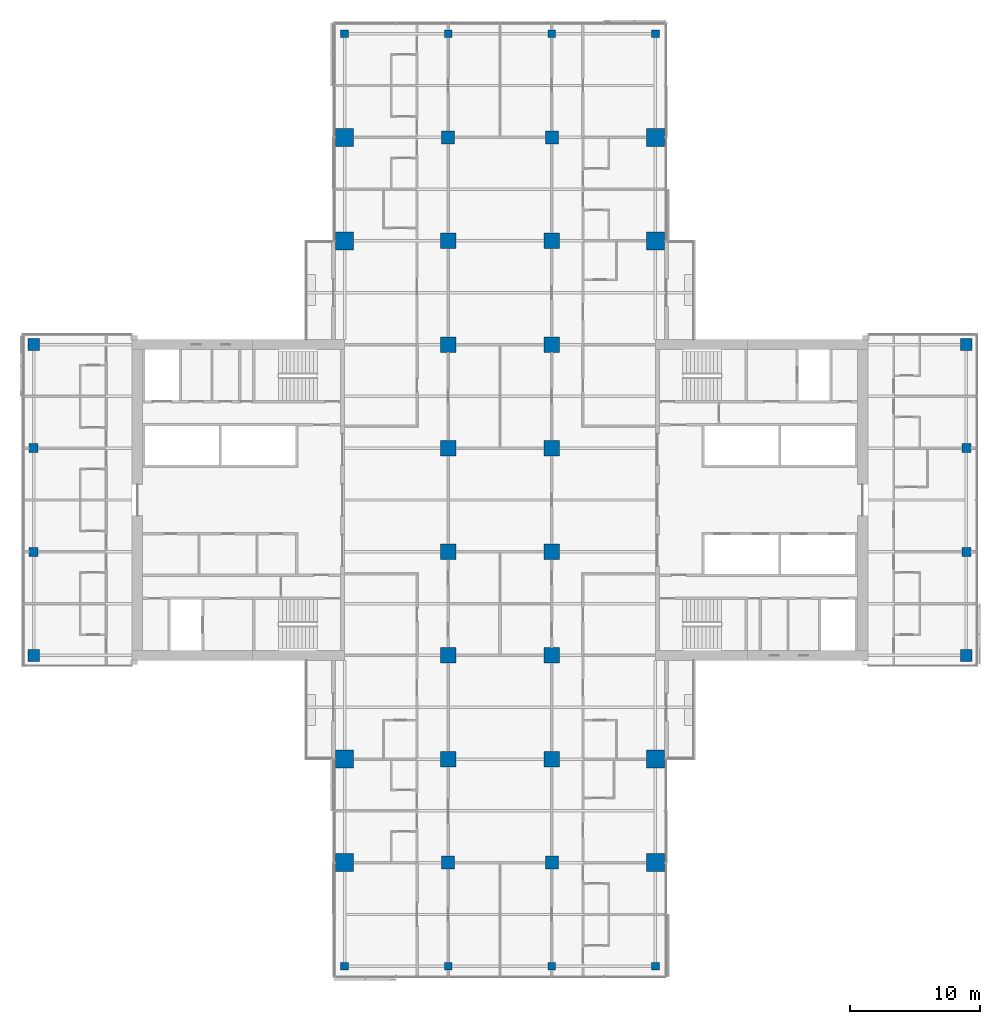
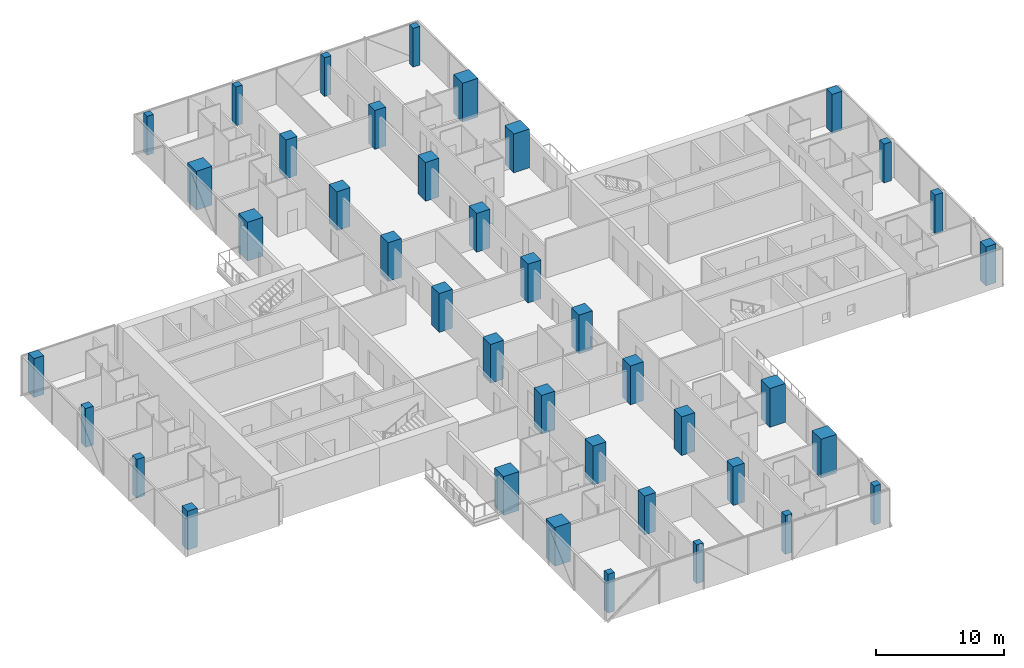
# One storey, part 1 of 27: 40 columns.
"""IFC4 building model written with IfcOpenShell, lengths in metres."""

from ifc_helpers import new_model, si_unit, direction, frame, origin, origin_2d, place, context, subcontext, project, spatial, rectangle, extrude, material, material_profile, profile_set, type_object, element, save


model = new_model("IFC4")

# Units and contexts
model_context = context("Model", 3, precision=1e-05, world=origin(), true_north=direction((0.0, 1.0)))
body_context = subcontext(model_context, "Body", "Model", "MODEL_VIEW")
ifc_project = project(units=[si_unit("LENGTHUNIT", "METRE"), si_unit("AREAUNIT", "SQUARE_METRE"), si_unit("VOLUMEUNIT", "CUBIC_METRE"), si_unit("PLANEANGLEUNIT", "RADIAN"), si_unit("MASSUNIT", "GRAM", prefix="KILO")], contexts=[model_context])

# Site, building, storey
site_placement = place(None, origin())
site = spatial("IfcSite", under=ifc_project, at=site_placement, CompositionType="ELEMENT")
building_placement = place(site_placement, origin())
building = spatial("IfcBuilding", under=site, at=building_placement, Name="Crosswind Convention Tower", CompositionType="ELEMENT")
storey_placement = place(building_placement, frame((0.0, 0.0, 68.300048828125)))
storey = spatial("IfcBuildingStorey", under=building, at=storey_placement, Name="L11", CompositionType="ELEMENT", Elevation=68.300048828125)

# Columns
ifc_material_1 = material(Name="Concrete C70/85", Category="concrete")
ifc_material_profile_1 = material_profile(ifc_material_1, rectangle(XDim=1.0, YDim=1.0, at=origin_2d()), Name="RC 1000X1000")
ifc_profile_set_1 = profile_set([ifc_material_profile_1], Name="Concrete C70/85")
column_type_1 = type_object("IfcColumnType", Name="Column RC 1000X1000", PredefinedType="COLUMN", material=ifc_profile_set_1)
for number, where, z_axis, x_axis, name in (
    (1, (121.0, 72.0, 0.0), (0.0, 0.0, 1.0), (1.0, 0.0, 0.0), "C12 L11 6/C"),
    (2, (121.0, 128.0, 0.0), (0.0, 0.0, 1.0), (1.0, 0.0, 0.0), "C12 L11 6/J"),
    (3, (129.0, 72.0, 0.0), (0.0, 0.0, 1.0), (1.0, 0.0, 0.0), "C12 L11 7/C"),
    (4, (129.0, 128.0, 0.0), (0.0, 0.0, 1.0), (1.0, 0.0, 0.0), "C12 L11 7/J"),
):
    element("IfcColumn", number, at=place(storey_placement, frame(where, z_axis=z_axis, x_axis=x_axis)), inside=storey, type_object=column_type_1, Name=name, PredefinedType="COLUMN", context=body_context, shape_type="SweptSolid", body=[
        extrude(rectangle(XDim=1.0, YDim=1.0, at=origin_2d()), origin(), (0.0, 0.0, 1.0), 3.699951171875),
    ])
ifc_material_profile_2 = material_profile(ifc_material_1, rectangle(XDim=1.199951171875, YDim=1.199951171875, at=origin_2d()), Name="RC 1200X1200")
ifc_profile_set_2 = profile_set([ifc_material_profile_2], Name="Concrete C70/85")
column_type_2 = type_object("IfcColumnType", Name="Column RC 1200X1200", PredefinedType="COLUMN", material=ifc_profile_set_2)
for number, where, z_axis, x_axis, name in (
    (5, (121.0, 80.0, 0.0), (0.0, 0.0, 1.0), (1.0, 0.0, 0.0), "C11 L11 6/D"),
    (6, (121.0, 88.0, 0.0), (0.0, 0.0, 1.0), (1.0, 0.0, 0.0), "C11 L11 6/E"),
    (7, (121.0, 96.0, 0.0), (0.0, 0.0, 1.0), (1.0, 0.0, 0.0), "C11 L11 6/F"),
    (8, (121.0, 104.0, 0.0), (0.0, 0.0, 1.0), (1.0, 0.0, 0.0), "C11 L11 6/G"),
    (9, (121.0, 112.0, 0.0), (0.0, 0.0, 1.0), (1.0, 0.0, 0.0), "C11 L11 6/H"),
    (10, (121.0, 120.0, 0.0), (0.0, 0.0, 1.0), (1.0, 0.0, 0.0), "C11 L11 6/I"),
    (11, (129.0, 80.0, 0.0), (0.0, 0.0, 1.0), (1.0, 0.0, 0.0), "C11 L11 7/D"),
    (12, (129.0, 88.0, 0.0), (0.0, 0.0, 1.0), (1.0, 0.0, 0.0), "C11 L11 7/E"),
    (13, (129.0, 96.0, 0.0), (0.0, 0.0, 1.0), (1.0, 0.0, 0.0), "C11 L11 7/F"),
    (14, (129.0, 104.0, 0.0), (0.0, 0.0, 1.0), (1.0, 0.0, 0.0), "C11 L11 7/G"),
    (15, (129.0, 112.0, 0.0), (0.0, 0.0, 1.0), (1.0, 0.0, 0.0), "C11 L11 7/H"),
    (16, (129.0, 120.0, 0.0), (0.0, 0.0, 1.0), (1.0, 0.0, 0.0), "C11 L11 7/I"),
):
    element("IfcColumn", number, at=place(storey_placement, frame(where, z_axis=z_axis, x_axis=x_axis)), inside=storey, type_object=column_type_2, Name=name, PredefinedType="COLUMN", context=body_context, shape_type="SweptSolid", body=[
        extrude(rectangle(XDim=1.199951171875, YDim=1.199951171875, at=origin_2d()), origin(), (0.0, 0.0, 1.0), 3.699951171875),
    ])
ifc_material_2 = material(Name="Concrete C80/95", Category="concrete")
ifc_material_profile_3 = material_profile(ifc_material_2, rectangle(XDim=1.39990234375, YDim=1.39990234375, at=origin_2d()), Name="RC 1400X1400")
ifc_profile_set_3 = profile_set([ifc_material_profile_3], Name="Concrete C80/95")
column_type_3 = type_object("IfcColumnType", Name="Column RC 1400X1400", PredefinedType="COLUMN", material=ifc_profile_set_3)
for number, where, z_axis, x_axis, name in (
    (17, (113.0, 72.0, 0.0), (0.0, 0.0, 1.0), (1.0, 0.0, 0.0), "C10 L11 5/C"),
    (18, (113.0, 80.0, 0.0), (0.0, 0.0, 1.0), (1.0, 0.0, 0.0), "C10 L11 5/D"),
    (19, (113.0, 120.0, 0.0), (0.0, 0.0, 1.0), (1.0, 0.0, 0.0), "C10 L11 5/I"),
    (20, (113.0, 128.0, 0.0), (0.0, 0.0, 1.0), (1.0, 0.0, 0.0), "C10 L11 5/J"),
    (21, (137.0, 72.0, 0.0), (0.0, 0.0, 1.0), (1.0, 0.0, 0.0), "C10 L11 8/C"),
    (22, (137.0, 80.0, 0.0), (0.0, 0.0, 1.0), (1.0, 0.0, 0.0), "C10 L11 8/D"),
    (23, (137.0, 120.0, 0.0), (0.0, 0.0, 1.0), (1.0, 0.0, 0.0), "C10 L11 8/I"),
    (24, (137.0, 128.0, 0.0), (0.0, 0.0, 1.0), (1.0, 0.0, 0.0), "C10 L11 8/J"),
):
    element("IfcColumn", number, at=place(storey_placement, frame(where, z_axis=z_axis, x_axis=x_axis)), inside=storey, type_object=column_type_3, Name=name, PredefinedType="COLUMN", context=body_context, shape_type="SweptSolid", body=[
        extrude(rectangle(XDim=1.39990234375, YDim=1.39990234375, at=origin_2d()), origin(), (0.0, 0.0, 1.0), 3.699951171875),
    ])
ifc_material_3 = material(Name="Concrete C60/75", Category="concrete")
ifc_material_profile_4 = material_profile(ifc_material_3, rectangle(XDim=0.60009765625, YDim=0.60009765625, at=origin_2d()), Name="RC 600X600")
ifc_profile_set_4 = profile_set([ifc_material_profile_4], Name="Concrete C60/75")
column_type_4 = type_object("IfcColumnType", Name="Column RC 600X600", PredefinedType="COLUMN", material=ifc_profile_set_4)
for number, where, z_axis, x_axis, name in (
    (25, (113.0, 64.0, 0.0), (0.0, 0.0, 1.0), (1.0, 0.0, 0.0), "C16 L11 5/B"),
    (26, (113.0, 136.0, 0.0), (0.0, 0.0, 1.0), (1.0, 0.0, 0.0), "C16 L11 5/K"),
    (27, (121.0, 64.0, 0.0), (0.0, 0.0, 1.0), (1.0, 0.0, 0.0), "C16 L11 6/B"),
    (28, (121.0, 136.0, 0.0), (0.0, 0.0, 1.0), (1.0, 0.0, 0.0), "C16 L11 6/K"),
    (29, (129.0, 64.0, 0.0), (0.0, 0.0, 1.0), (1.0, 0.0, 0.0), "C16 L11 7/B"),
    (30, (129.0, 136.0, 0.0), (0.0, 0.0, 1.0), (1.0, 0.0, 0.0), "C16 L11 7/K"),
    (31, (137.0, 64.0, 0.0), (0.0, 0.0, 1.0), (1.0, 0.0, 0.0), "C16 L11 8/B"),
    (32, (137.0, 136.0, 0.0), (0.0, 0.0, 1.0), (1.0, 0.0, 0.0), "C16 L11 8/K"),
):
    element("IfcColumn", number, at=place(storey_placement, frame(where, z_axis=z_axis, x_axis=x_axis)), inside=storey, type_object=column_type_4, Name=name, PredefinedType="COLUMN", context=body_context, shape_type="SweptSolid", body=[
        extrude(rectangle(XDim=0.60009765625, YDim=0.60009765625, at=origin_2d()), origin(), (0.0, 0.0, 1.0), 3.699951171875),
    ])
ifc_material_profile_5 = material_profile(ifc_material_3, rectangle(XDim=0.699951171875, YDim=0.699951171875, at=origin_2d()), Name="RC 700X700")
ifc_profile_set_5 = profile_set([ifc_material_profile_5], Name="Concrete C60/75")
column_type_5 = type_object("IfcColumnType", Name="Column RC 700X700", PredefinedType="COLUMN", material=ifc_profile_set_5)
for number, where, z_axis, x_axis, name in (
    (33, (89.0, 96.0, 0.0), (0.0, 0.0, 1.0), (1.0, 0.0, 0.0), "C15 L11 2/F"),
    (34, (89.0, 104.0, 0.0), (0.0, 0.0, 1.0), (1.0, 0.0, 0.0), "C15 L11 2/G"),
    (35, (161.0, 96.0, 0.0), (0.0, 0.0, 1.0), (1.0, 0.0, 0.0), "C15 L11 11/F"),
    (36, (161.0, 104.0, 0.0), (0.0, 0.0, 1.0), (1.0, 0.0, 0.0), "C15 L11 11/G"),
):
    element("IfcColumn", number, at=place(storey_placement, frame(where, z_axis=z_axis, x_axis=x_axis)), inside=storey, type_object=column_type_5, Name=name, PredefinedType="COLUMN", context=body_context, shape_type="SweptSolid", body=[
        extrude(rectangle(XDim=0.699951171875, YDim=0.699951171875, at=origin_2d()), origin(), (0.0, 0.0, 1.0), 3.699951171875),
    ])
ifc_material_profile_6 = material_profile(ifc_material_3, rectangle(XDim=0.89990234375, YDim=0.89990234375, at=origin_2d()), Name="RC 900X900")
ifc_profile_set_6 = profile_set([ifc_material_profile_6], Name="Concrete C60/75")
column_type_6 = type_object("IfcColumnType", Name="Column RC 900X900", PredefinedType="COLUMN", material=ifc_profile_set_6)
for number, where, z_axis, x_axis, name in (
    (37, (89.0, 88.0, 0.0), (0.0, 0.0, 1.0), (1.0, 0.0, 0.0), "C13 L11 2/E"),
    (38, (89.0, 112.0, 0.0), (0.0, 0.0, 1.0), (1.0, 0.0, 0.0), "C13 L11 2/H"),
    (39, (161.0, 88.0, 0.0), (0.0, 0.0, 1.0), (1.0, 0.0, 0.0), "C13 L11 11/E"),
    (40, (161.0, 112.0, 0.0), (0.0, 0.0, 1.0), (1.0, 0.0, 0.0), "C13 L11 11/H"),
):
    element("IfcColumn", number, at=place(storey_placement, frame(where, z_axis=z_axis, x_axis=x_axis)), inside=storey, type_object=column_type_6, Name=name, PredefinedType="COLUMN", context=body_context, shape_type="SweptSolid", body=[
        extrude(rectangle(XDim=0.89990234375, YDim=0.89990234375, at=origin_2d()), origin(), (0.0, 0.0, 1.0), 3.699951171875),
    ])

save(model, "model.ifc")
